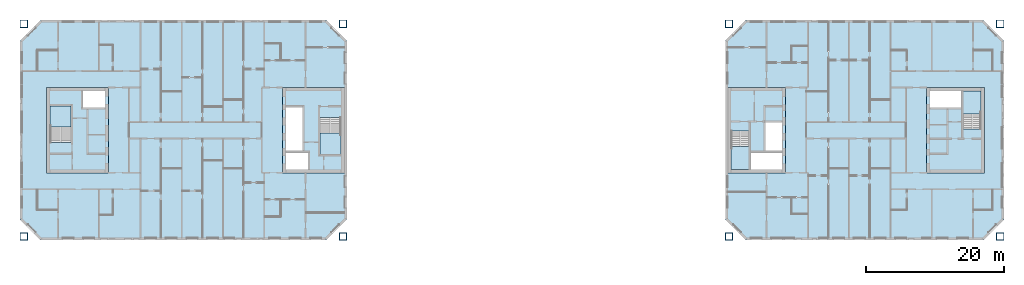
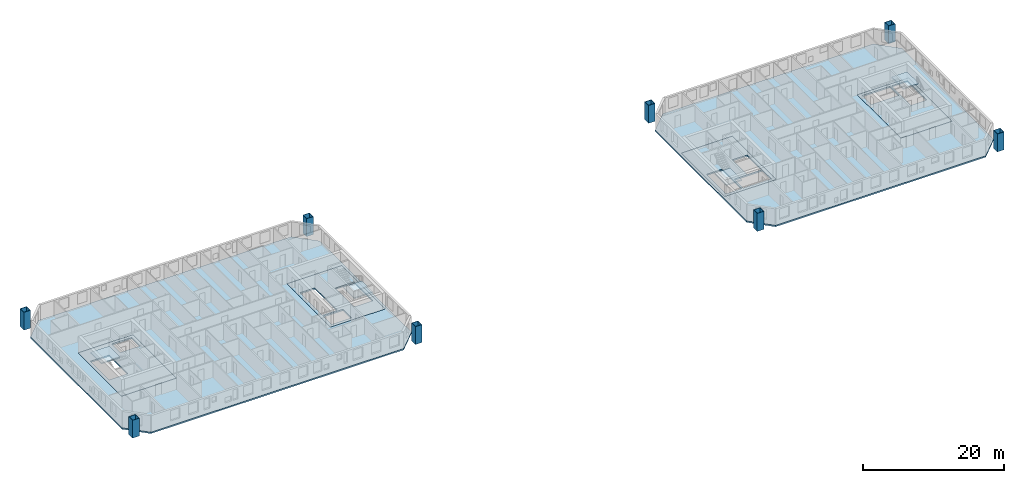
# One storey, part 1 of 16: 10 slabs, 8 columns, 4 elements without a shape of their own.
"""IFC4 building model written with IfcOpenShell, lengths in metres."""

from ifc_helpers import new_model, si_unit, direction, frame, origin, origin_2d, place, context, subcontext, project, spatial, polyline, hollow_rectangle, outline, extrude, material, layer, layer_set, material_profile, profile_set, type_object, element, aggregate, save


model = new_model("IFC4")

# Units and contexts
model_context = context("Model", 3, precision=1e-05, world=origin(), true_north=direction((0.0, 1.0)))
body_context = subcontext(model_context, "Body", "Model", "MODEL_VIEW")
ifc_project = project(units=[si_unit("LENGTHUNIT", "METRE"), si_unit("AREAUNIT", "SQUARE_METRE"), si_unit("VOLUMEUNIT", "CUBIC_METRE"), si_unit("PLANEANGLEUNIT", "RADIAN"), si_unit("MASSUNIT", "GRAM", prefix="KILO")], contexts=[model_context])

# Site, building, storey
site_placement = place(None, origin())
site = spatial("IfcSite", under=ifc_project, at=site_placement, CompositionType="ELEMENT")
building_placement = place(site_placement, origin())
building = spatial("IfcBuilding", under=site, at=building_placement, Name="Tuart Gate Housing", CompositionType="ELEMENT")
storey_placement = place(building_placement, frame((0.0, 0.0, 157.800048828125)))
storey = spatial("IfcBuildingStorey", under=building, at=storey_placement, Name="L44", CompositionType="ELEMENT", Elevation=157.800048828125)

# Columns
ifc_material_1 = material(Name="Steel Grade 350", Category="steel")
ifc_material_profile = material_profile(ifc_material_1, hollow_rectangle(XDim=1.10009765625, YDim=1.10009765625, WallThickness=0.06005859375, at=origin_2d()), Name="BOX 1100x1100x60")
ifc_profile_set = profile_set([ifc_material_profile], Name="Steel Grade 350")
column_type = type_object("IfcColumnType", Name="Mega column BOX 1100x1100x60", PredefinedType="COLUMN", material=ifc_profile_set)
for number, where, z_axis, x_axis, name in (
    (1, (29.050048828125, 54.550048828125, 0.0), (0.0, 0.0, 1.0), (1.0, 0.0, 0.0), "Mega column A south-west L44"),
    (2, (75.449951171875, 54.550048828125, 0.0), (0.0, 0.0, 1.0), (1.0, 0.0, 0.0), "Mega column A south-east L44"),
    (3, (75.449951171875, 85.449951171875, 0.0), (0.0, 0.0, 1.0), (1.0, 0.0, 0.0), "Mega column A north-east L44"),
    (4, (29.050048828125, 85.449951171875, 0.0), (0.0, 0.0, 1.0), (1.0, 0.0, 0.0), "Mega column A north-west L44"),
    (5, (131.550048828125, 54.550048828125, 0.0), (0.0, 0.0, 1.0), (1.0, 0.0, 0.0), "Mega column B south-west L44"),
    (6, (170.949951171875, 54.550048828125, 0.0), (0.0, 0.0, 1.0), (1.0, 0.0, 0.0), "Mega column B south-east L44"),
    (7, (170.949951171875, 85.449951171875, 0.0), (0.0, 0.0, 1.0), (1.0, 0.0, 0.0), "Mega column B north-east L44"),
    (8, (131.550048828125, 85.449951171875, 0.0), (0.0, 0.0, 1.0), (1.0, 0.0, 0.0), "Mega column B north-west L44"),
):
    element("IfcColumn", number, at=place(storey_placement, frame(where, z_axis=z_axis, x_axis=x_axis)), inside=storey, type_object=column_type, Name=name, PredefinedType="COLUMN", context=body_context, shape_type="SweptSolid", body=[
        extrude(hollow_rectangle(XDim=1.10009765625, YDim=1.10009765625, WallThickness=0.06005859375, at=origin_2d()), origin(), (0.0, 0.0, 1.0), 3.099853515625),
    ])

# Slabs
ifc_material_2 = material(Name="Concrete C40", Category="concrete")
ifc_layer_1 = layer(ifc_material_2, 0.25)
ifc_layer_set_1 = layer_set([ifc_layer_1], Name="Core floor slab 250")
slab_type_1 = type_object("IfcSlabType", Name="Core floor slab 250", PredefinedType="FLOOR", material=ifc_layer_set_1)
slab_1_placement = place(storey_placement, frame((0.0, 0.0, -0.25)))
element("IfcSlab", 9, at=slab_1_placement, inside=storey, type_object=slab_type_1, Name="Core floor AG", PredefinedType="FLOOR", context=body_context, shape_type="SweptSolid", body=[
    extrude(outline(polyline([(66.639892578125, 63.800048828125), (75.639892578125, 63.800048828125), (75.639892578125, 76.199951171875), (66.639892578125, 76.199951171875), (66.639892578125, 63.800048828125)]), holes=[polyline([(67.139892578125, 64.300048828125), (70.385009765625, 64.300048828125), (70.385009765625, 66.72509765625), (67.139892578125, 66.72509765625), (67.139892578125, 64.300048828125)]), polyline([(67.139892578125, 66.97509765625), (69.56494140625, 66.97509765625), (69.56494140625, 73.324951171875), (67.139892578125, 73.324951171875), (67.139892578125, 66.97509765625)]), polyline([(72.06494140625, 66.47509765625), (75.139892578125, 66.47509765625), (75.139892578125, 71.804931640625), (72.06494140625, 71.804931640625), (72.06494140625, 66.47509765625)])]), origin(), (0.0, 0.0, 1.0), 0.25),
])
slab_2_placement = place(storey_placement, frame((0.0, 0.0, -0.25)))
element("IfcSlab", 10, at=slab_2_placement, inside=storey, type_object=slab_type_1, Name="Core floor AK", PredefinedType="FLOOR", context=body_context, shape_type="SweptSolid", body=[
    extrude(outline(polyline([(32.360107421875, 63.800048828125), (41.360107421875, 63.800048828125), (41.360107421875, 76.199951171875), (32.360107421875, 76.199951171875), (32.360107421875, 63.800048828125)]), holes=[polyline([(40.860107421875, 75.699951171875), (37.614990234375, 75.699951171875), (37.614990234375, 73.27490234375), (40.860107421875, 73.27490234375), (40.860107421875, 75.699951171875)]), polyline([(35.93505859375, 73.52490234375), (32.860107421875, 73.52490234375), (32.860107421875, 68.195068359375), (35.93505859375, 68.195068359375), (35.93505859375, 73.52490234375)])]), origin(), (0.0, 0.0, 1.0), 0.25),
])
slab_3_placement = place(storey_placement, frame((0.0, 0.0, -0.25)))
element("IfcSlab", 11, at=slab_3_placement, inside=storey, type_object=slab_type_1, Name="Core floor BG", PredefinedType="FLOOR", context=body_context, shape_type="SweptSolid", body=[
    extrude(outline(polyline([(131.360107421875, 63.800048828125), (139.760009765625, 63.800048828125), (139.760009765625, 76.199951171875), (131.360107421875, 76.199951171875), (131.360107421875, 63.800048828125)]), holes=[polyline([(139.260009765625, 66.85009765625), (134.68505859375, 66.85009765625), (134.68505859375, 64.300048828125), (139.260009765625, 64.300048828125), (139.260009765625, 66.85009765625)]), polyline([(139.260009765625, 71.125), (136.8349609375, 71.125), (136.8349609375, 66.97509765625), (139.260009765625, 66.97509765625), (139.260009765625, 71.125)]), polyline([(134.43505859375, 69.85498046875), (131.860107421875, 69.85498046875), (131.860107421875, 64.300048828125), (134.43505859375, 64.300048828125), (134.43505859375, 69.85498046875)])]), origin(), (0.0, 0.0, 1.0), 0.25),
])
slab_4_placement = place(storey_placement, frame((0.0, 0.0, -0.25)))
element("IfcSlab", 12, at=slab_4_placement, inside=storey, type_object=slab_type_1, Name="Core floor BK", PredefinedType="FLOOR", context=body_context, shape_type="SweptSolid", body=[
    extrude(outline(polyline([(160.239990234375, 63.800048828125), (168.639892578125, 63.800048828125), (168.639892578125, 76.199951171875), (160.239990234375, 76.199951171875), (160.239990234375, 63.800048828125)]), holes=[polyline([(160.739990234375, 73.14990234375), (165.31494140625, 73.14990234375), (165.31494140625, 75.699951171875), (160.739990234375, 75.699951171875), (160.739990234375, 73.14990234375)]), polyline([(165.56494140625, 70.14501953125), (168.139892578125, 70.14501953125), (168.139892578125, 75.699951171875), (165.56494140625, 75.699951171875), (165.56494140625, 70.14501953125)])]), origin(), (0.0, 0.0, 1.0), 0.25),
])
ifc_material_3 = material(Name="Concrete C40", Category="concrete")
ifc_layer_2 = layer(ifc_material_3, 0.25)
ifc_layer_set_2 = layer_set([ifc_layer_2], Name="Flat plate 250")
slab_type_2 = type_object("IfcSlabType", Name="Flat plate 250", PredefinedType="FLOOR", material=ifc_layer_set_2)
slab_5_placement = place(storey_placement, frame((0.0, 0.0, -0.25)))
element("IfcSlab", 13, at=slab_5_placement, inside=storey, type_object=slab_type_2, Name="Floor slab A L44", PredefinedType="FLOOR", context=body_context, shape_type="SweptSolid", body=[
    extrude(outline(polyline([(31.5, 86.0), (28.5, 83.0), (28.5, 57.0), (31.5, 54.0), (73.0, 54.0), (76.0, 57.0), (76.0, 83.0), (73.0, 86.0), (31.5, 86.0)]), holes=[polyline([(66.639892578125, 76.199951171875), (75.639892578125, 76.199951171875), (75.639892578125, 63.800048828125), (66.639892578125, 63.800048828125), (66.639892578125, 76.199951171875)]), polyline([(41.360107421875, 76.199951171875), (41.360107421875, 63.800048828125), (32.360107421875, 63.800048828125), (32.360107421875, 76.199951171875), (41.360107421875, 76.199951171875)])]), origin(), (0.0, 0.0, 1.0), 0.25),
])
slab_6_placement = place(storey_placement, frame((0.0, 0.0, -0.25)))
element("IfcSlab", 14, at=slab_6_placement, inside=storey, type_object=slab_type_2, Name="Floor slab B L44", PredefinedType="FLOOR", context=body_context, shape_type="SweptSolid", body=[
    extrude(outline(polyline([(134.0, 86.0), (131.0, 83.0), (131.0, 57.0), (134.0, 54.0), (168.5, 54.0), (171.5, 57.0), (171.5, 83.0), (168.5, 86.0), (134.0, 86.0)]), holes=[polyline([(131.360107421875, 76.199951171875), (139.760009765625, 76.199951171875), (139.760009765625, 63.800048828125), (131.360107421875, 63.800048828125), (131.360107421875, 76.199951171875)]), polyline([(168.639892578125, 76.199951171875), (168.639892578125, 63.800048828125), (160.239990234375, 63.800048828125), (160.239990234375, 76.199951171875), (168.639892578125, 76.199951171875)])]), origin(), (0.0, 0.0, 1.0), 0.25),
])

# Stair, slab
ifc_material_4 = material(Name="Concrete C40", Category="concrete")
stair_type_1 = type_object("IfcStairType", Name="Core stair 1500", PredefinedType="HALF_TURN_STAIR", material=ifc_material_4)
stair_1_placement = place(storey_placement, origin())
stair_1 = element("IfcStair", 15, at=stair_1_placement, inside=storey, type_object=stair_type_1, Name="Stair SA1", PredefinedType="HALF_TURN_STAIR")
ifc_material_5 = material(Name="Concrete C40", Category="concrete")
ifc_layer_3 = layer(ifc_material_5, 0.199951171875)
ifc_layer_set_3 = layer_set([ifc_layer_3], Name="Stair landing 200")
slab_type_3 = type_object("IfcSlabType", Name="Stair landing 200", PredefinedType="LANDING", material=ifc_layer_set_3)
slab_7_placement = place(storey_placement, frame((0.0, 0.0, 1.349853515625)))
slab_7 = element("IfcSlab", 16, at=slab_7_placement, type_object=slab_type_3, Name="SA1 landing 1", PredefinedType="LANDING", context=body_context, shape_type="SweptSolid", body=[
    extrude(outline(polyline([(72.06494140625, 66.47509765625), (75.139892578125, 66.47509765625), (75.139892578125, 69.5849609375), (72.06494140625, 69.5849609375), (72.06494140625, 66.47509765625)])), origin(), (0.0, 0.0, 1.0), 0.2001953125),
])
aggregate(stair_1, [slab_7])

stair_2_placement = place(storey_placement, origin())
stair_2 = element("IfcStair", 17, at=stair_2_placement, inside=storey, type_object=stair_type_1, Name="Stair SA2", PredefinedType="HALF_TURN_STAIR")
slab_8_placement = place(storey_placement, frame((0.0, 0.0, 1.349853515625)))
slab_8 = element("IfcSlab", 18, at=slab_8_placement, type_object=slab_type_3, Name="SA2 landing 1", PredefinedType="LANDING", context=body_context, shape_type="SweptSolid", body=[
    extrude(outline(polyline([(35.93505859375, 73.52490234375), (32.860107421875, 73.52490234375), (32.860107421875, 70.4150390625), (35.93505859375, 70.4150390625), (35.93505859375, 73.52490234375)])), origin(), (0.0, 0.0, 1.0), 0.2001953125),
])
aggregate(stair_2, [slab_8])

ifc_material_6 = material(Name="Concrete C40", Category="concrete")
stair_type_2 = type_object("IfcStairType", Name="Core stair 1250", PredefinedType="HALF_TURN_STAIR", material=ifc_material_6)
stair_3_placement = place(storey_placement, origin())
stair_3 = element("IfcStair", 19, at=stair_3_placement, inside=storey, type_object=stair_type_2, Name="Stair SB1", PredefinedType="HALF_TURN_STAIR")
slab_9_placement = place(storey_placement, frame((0.0, 0.0, 1.349853515625)))
slab_9 = element("IfcSlab", 20, at=slab_9_placement, type_object=slab_type_3, Name="SB1 landing 1", PredefinedType="LANDING", context=body_context, shape_type="SweptSolid", body=[
    extrude(outline(polyline([(134.43505859375, 67.635009765625), (131.860107421875, 67.635009765625), (131.860107421875, 64.300048828125), (134.43505859375, 64.300048828125), (134.43505859375, 67.635009765625)])), origin(), (0.0, 0.0, 1.0), 0.2001953125),
])
aggregate(stair_3, [slab_9])

stair_4_placement = place(storey_placement, origin())
stair_4 = element("IfcStair", 21, at=stair_4_placement, inside=storey, type_object=stair_type_2, Name="Stair SB2", PredefinedType="HALF_TURN_STAIR")
slab_10_placement = place(storey_placement, frame((0.0, 0.0, 1.349853515625)))
slab_10 = element("IfcSlab", 22, at=slab_10_placement, type_object=slab_type_3, Name="SB2 landing 1", PredefinedType="LANDING", context=body_context, shape_type="SweptSolid", body=[
    extrude(outline(polyline([(165.56494140625, 72.364990234375), (168.139892578125, 72.364990234375), (168.139892578125, 75.699951171875), (165.56494140625, 75.699951171875), (165.56494140625, 72.364990234375)])), origin(), (0.0, 0.0, 1.0), 0.2001953125),
])
aggregate(stair_4, [slab_10])

save(model, "model.ifc")
